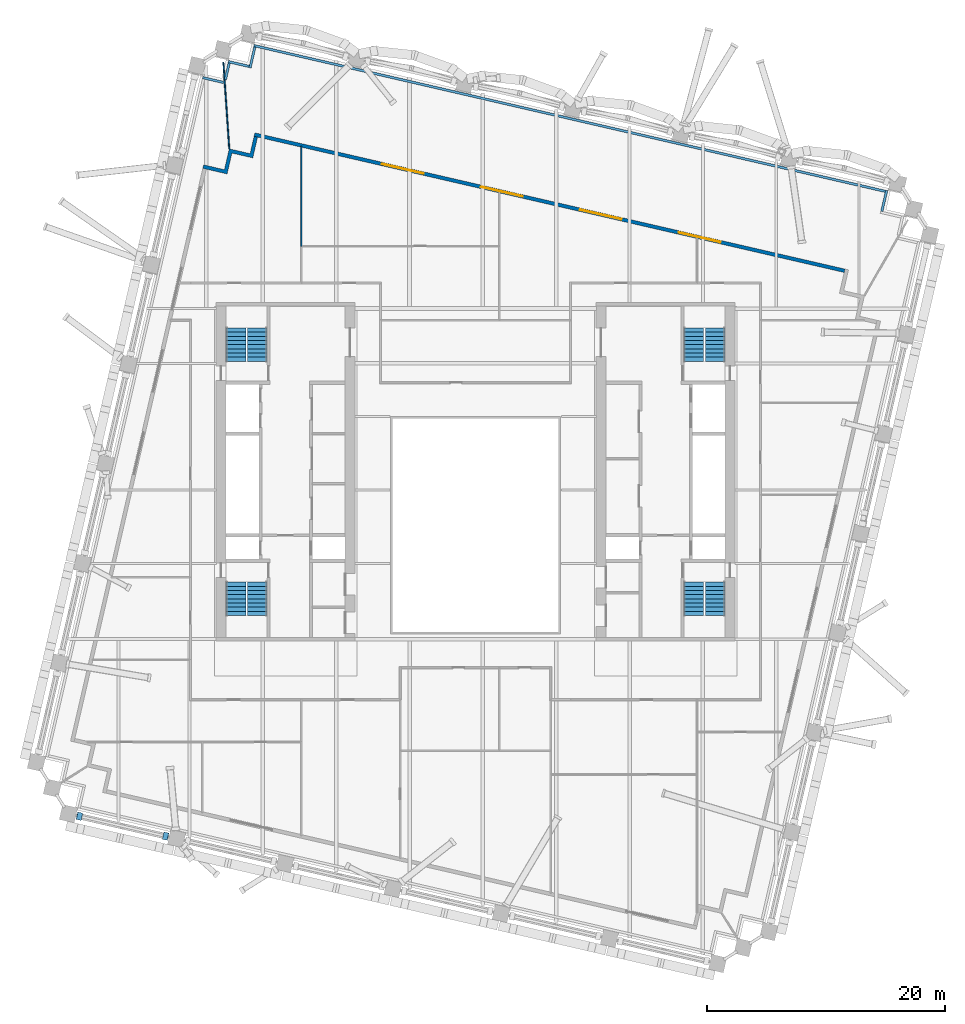
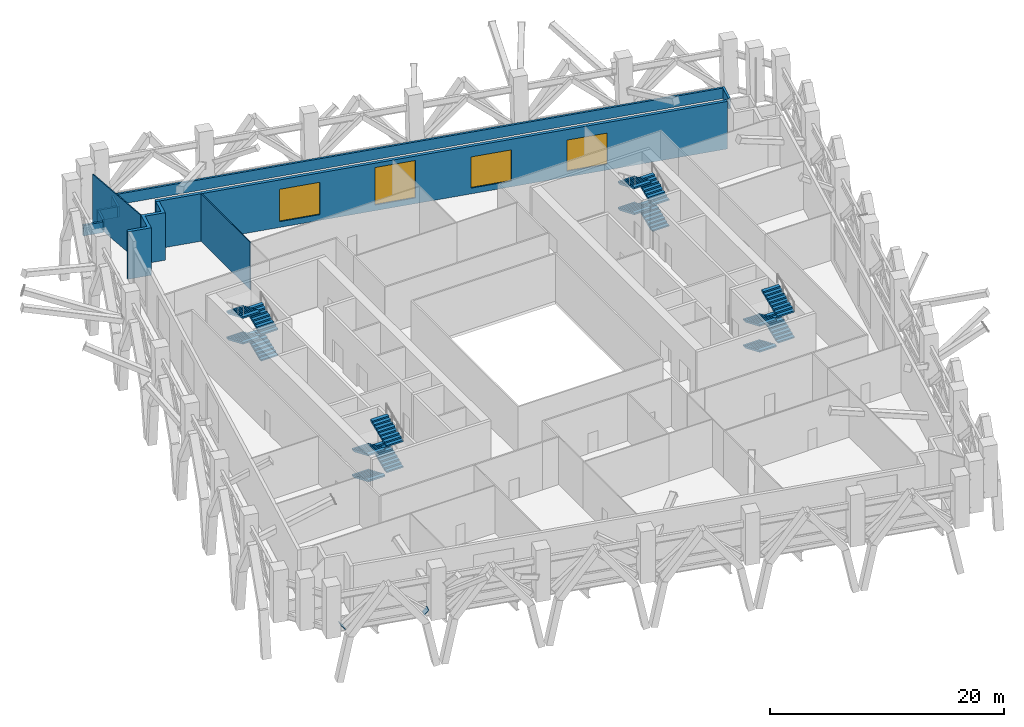
# One storey, part 11 of 20: 16 stair flights, 10 walls, 4 windows, 2 discrete accessories, 4 openings, 4 elements without a shape of their own.
"""IFC4 building model written with IfcOpenShell, lengths in metres."""

from ifc_helpers import new_model, si_unit, direction, frame, frame_2d, origin, origin_2d, place, context, subcontext, project, spatial, polyline, rectangle, outline, extrude, material, layer, layer_set, material_profile, profile_set, type_object, element, fill, aggregate, save


model = new_model("IFC4")

# Units and contexts
model_context = context("Model", 3, precision=1e-05, world=origin(), true_north=direction((0.0, 1.0)))
body_context = subcontext(model_context, "Body", "Model", "MODEL_VIEW")
ifc_project = project(units=[si_unit("LENGTHUNIT", "METRE"), si_unit("AREAUNIT", "SQUARE_METRE"), si_unit("VOLUMEUNIT", "CUBIC_METRE"), si_unit("PLANEANGLEUNIT", "RADIAN"), si_unit("MASSUNIT", "GRAM", prefix="KILO")], contexts=[model_context])

# Site, building, storey
site_placement = place(None, origin())
site = spatial("IfcSite", under=ifc_project, at=site_placement, CompositionType="ELEMENT")
building_placement = place(site_placement, origin())
building = spatial("IfcBuilding", under=site, at=building_placement, Name="Ogive Exchange Tower", CompositionType="ELEMENT")
storey_placement = place(building_placement, frame((0.0, 0.0, 160.199951171875)))
storey = spatial("IfcBuildingStorey", under=building, at=storey_placement, Name="L35", CompositionType="ELEMENT", Elevation=160.199951171875)

# Wall, openings, windows
ifc_material_1 = material(Name="Precast concrete C40/50", Category="concrete")
ifc_layer_1 = layer(ifc_material_1, 0.300048828125)
ifc_layer_set_1 = layer_set([ifc_layer_1], Name="Limestone-faced wall 300")
wall_type_1 = type_object("IfcWallType", Name="Limestone-faced wall 300", PredefinedType="STANDARD", material=ifc_layer_set_1)
wall_1_placement = place(storey_placement, frame((31.07763671875, 28.4208984375, 0.0), z_axis=(0.0, 0.0, 1.0), x_axis=(-0.974370456532, 0.224949357493, 0.0)))
wall_1 = element("IfcWall", 1, at=wall_1_placement, inside=storey, type_object=wall_type_1, Name="External wall N3", PredefinedType="STANDARD", context=body_context, shape_type="SweptSolid", body=[
    extrude(rectangle(XDim=51.0, YDim=0.300048828125, at=frame_2d((25.5, 0.0))), origin(), (0.0, 0.0, 1.0), 4.949951171875),
])
opening_1_placement = place(wall_1_placement, frame((10.72509765625, 0.0, 0.60009765625)))
opening_1 = element("IfcOpeningElement", 2, at=opening_1_placement, cuts=wall_1, Name="Opening LV1H", PredefinedType="OPENING", context=body_context, shape_type="SweptSolid", body=[
    extrude(rectangle(XDim=3.60009765625, YDim=3.25, at=frame_2d((1.800048828125, 1.625))), frame((0.0, 0.159912109375, 0.0), z_axis=(0.0, -1.0, 0.0), x_axis=(1.0, 0.0, 0.0)), (0.0, 0.0, 1.0), 0.320068359375),
])
opening_2_placement = place(wall_1_placement, frame((19.27490234375, 0.0, 0.60009765625)))
opening_2 = element("IfcOpeningElement", 3, at=opening_2_placement, cuts=wall_1, Name="Opening LV1H", PredefinedType="OPENING", context=body_context, shape_type="SweptSolid", body=[
    extrude(rectangle(XDim=3.60009765625, YDim=3.25, at=frame_2d((1.800048828125, 1.625))), frame((0.0, 0.159912109375, 0.0), z_axis=(0.0, -1.0, 0.0), x_axis=(1.0, 0.0, 0.0)), (0.0, 0.0, 1.0), 0.320068359375),
])
opening_3_placement = place(wall_1_placement, frame((27.824951171875, 0.0, 0.60009765625)))
opening_3 = element("IfcOpeningElement", 4, at=opening_3_placement, cuts=wall_1, Name="Opening LV1", PredefinedType="OPENING", context=body_context, shape_type="SweptSolid", body=[
    extrude(rectangle(XDim=3.60009765625, YDim=3.89990234375, at=frame_2d((1.800048828125, 1.949951171875))), frame((0.0, 0.159912109375, 0.0), z_axis=(0.0, -1.0, 0.0), x_axis=(1.0, 0.0, 0.0)), (0.0, 0.0, 1.0), 0.320068359375),
])
opening_4_placement = place(wall_1_placement, frame((36.375, 0.0, 0.60009765625)))
opening_4 = element("IfcOpeningElement", 5, at=opening_4_placement, cuts=wall_1, Name="Opening LV1G", PredefinedType="OPENING", context=body_context, shape_type="SweptSolid", body=[
    extrude(rectangle(XDim=3.60009765625, YDim=3.375, at=frame_2d((1.800048828125, 1.6875))), frame((0.0, 0.159912109375, 0.0), z_axis=(0.0, -1.0, 0.0), x_axis=(1.0, 0.0, 0.0)), (0.0, 0.0, 1.0), 0.320068359375),
])
ifc_material_2 = material(Name="Anodised aluminium louvre", Category="aluminium")
window_type_1 = type_object("IfcWindowType", Name="Plant louvre 3600 x 3250", PartitioningType="DOUBLE_PANEL_HORIZONTAL", PredefinedType="WINDOW", material=ifc_material_2)
window_1_placement = place(opening_1_placement, origin())
window_1 = element("IfcWindow", 6, at=window_1_placement, inside=storey, type_object=window_type_1, Name="Louvre N01", OverallHeight=3.25, OverallWidth=3.60009765625, PartitioningType="DOUBLE_PANEL_HORIZONTAL", PredefinedType="WINDOW", context=body_context, shape_type="SweptSolid", body=[
    extrude(rectangle(XDim=3.60009765625, YDim=3.25, at=frame_2d((1.800048828125, 1.625))), frame((0.0, 0.030029296875, 0.0), z_axis=(0.0, -1.0, 0.0), x_axis=(1.0, 0.0, 0.0)), (0.0, 0.0, 1.0), 0.06005859375),
])
fill(opening_1, window_1)
window_2_placement = place(opening_2_placement, origin())
window_2 = element("IfcWindow", 7, at=window_2_placement, inside=storey, type_object=window_type_1, Name="Louvre N02", OverallHeight=3.25, OverallWidth=3.60009765625, PartitioningType="DOUBLE_PANEL_HORIZONTAL", PredefinedType="WINDOW", context=body_context, shape_type="SweptSolid", body=[
    extrude(rectangle(XDim=3.60009765625, YDim=3.25, at=frame_2d((1.800048828125, 1.625))), frame((0.0, 0.030029296875, 0.0), z_axis=(0.0, -1.0, 0.0), x_axis=(1.0, 0.0, 0.0)), (0.0, 0.0, 1.0), 0.06005859375),
])
fill(opening_2, window_2)
window_type_2 = type_object("IfcWindowType", Name="Plant louvre 3600 x 3375", PartitioningType="DOUBLE_PANEL_HORIZONTAL", PredefinedType="WINDOW", material=ifc_material_2)
window_3_placement = place(opening_4_placement, origin())
window_3 = element("IfcWindow", 8, at=window_3_placement, inside=storey, type_object=window_type_2, Name="Louvre N04", OverallHeight=3.375, OverallWidth=3.60009765625, PartitioningType="DOUBLE_PANEL_HORIZONTAL", PredefinedType="WINDOW", context=body_context, shape_type="SweptSolid", body=[
    extrude(rectangle(XDim=3.60009765625, YDim=3.375, at=frame_2d((1.800048828125, 1.6875))), frame((0.0, 0.030029296875, 0.0), z_axis=(0.0, -1.0, 0.0), x_axis=(1.0, 0.0, 0.0)), (0.0, 0.0, 1.0), 0.06005859375),
])
fill(opening_4, window_3)
window_type_3 = type_object("IfcWindowType", Name="Plant louvre 3600 x 3900", PartitioningType="DOUBLE_PANEL_HORIZONTAL", PredefinedType="WINDOW", material=ifc_material_2)
window_4_placement = place(opening_3_placement, origin())
window_4 = element("IfcWindow", 9, at=window_4_placement, inside=storey, type_object=window_type_3, Name="Louvre N03", OverallHeight=3.89990234375, OverallWidth=3.60009765625, PartitioningType="DOUBLE_PANEL_HORIZONTAL", PredefinedType="WINDOW", context=body_context, shape_type="SweptSolid", body=[
    extrude(rectangle(XDim=3.60009765625, YDim=3.89990234375, at=frame_2d((1.800048828125, 1.949951171875))), frame((0.0, 0.030029296875, 0.0), z_axis=(0.0, -1.0, 0.0), x_axis=(1.0, 0.0, 0.0)), (0.0, 0.0, 1.0), 0.06005859375),
])
fill(opening_3, window_4)

# Walls
wall_2_placement = place(storey_placement, origin())
element("IfcWall", 10, at=wall_2_placement, inside=storey, type_object=wall_type_1, Name="External corner wall C3", PredefinedType="STANDARD", context=body_context, shape_type="SweptSolid", body=[
    extrude(outline(polyline([(-22.966552734375, 37.04931640625), (-22.89892578125, 37.341552734375), (-21.145263671875, 36.936767578125), (-20.740234375, 38.690673828125), (-18.986328125, 38.28564453125), (-18.64892578125, 39.747314453125), (-18.356689453125, 39.6796875), (-18.76171875, 37.92578125), (-20.515380859375, 38.330810546875), (-20.92041015625, 36.576904296875), (-22.966552734375, 37.04931640625)])), origin(), (0.0, 0.0, 1.0), 4.949951171875),
])
ifc_material_3 = material(Name="Laminated safety glass in steel frame", Category="steel")
ifc_layer_2 = layer(ifc_material_3, 0.10009765625)
ifc_layer_set_2 = layer_set([ifc_layer_2], Name="Loggia end screen 100")
wall_type_2 = type_object("IfcWallType", Name="Loggia end screen 100", PredefinedType="STANDARD", material=ifc_layer_set_2)
wall_3_placement = place(storey_placement, frame((-20.740234375, 38.690673828125, -0.050048828125), z_axis=(0.0, 0.0, 1.0), x_axis=(-0.067684629626, 0.997706765995, 0.0)))
element("IfcWall", 11, at=wall_3_placement, inside=storey, type_object=wall_type_2, Name="Loggia end screen C3", PredefinedType="STANDARD", context=body_context, shape_type="SweptSolid", body=[
    extrude(rectangle(XDim=7.325927734375, YDim=0.10009765625, at=frame_2d((3.6630859375, 0.0))), origin(), (0.0, 0.0, 1.0), 5.0),
])
ifc_material_4 = material(Name="Partition 100 gypsum")
ifc_layer_3 = layer(ifc_material_4, 0.10009765625)
ifc_layer_set_3 = layer_set([ifc_layer_3], Name="Partition 100 gypsum")
wall_type_3 = type_object("IfcWallType", Name="Partition 100 gypsum", PredefinedType="PARTITIONING", material=ifc_layer_set_3)
wall_4_placement = place(storey_placement, frame((-14.669921875, 30.449951171875, 0.0), z_axis=(0.0, 0.0, 1.0), x_axis=(0.0, 1.0, 0.0)))
element("IfcWall", 12, at=wall_4_placement, inside=storey, type_object=wall_type_3, Name="L35-PWL-017", PredefinedType="PARTITIONING", context=body_context, shape_type="SweptSolid", body=[
    extrude(rectangle(XDim=8.4609375, YDim=0.10009765625, at=frame_2d((4.23046875, 0.0))), origin(), (0.0, 0.0, 1.0), 4.949951171875),
])
ifc_layer_4 = layer(ifc_material_1, 0.199951171875)
ifc_layer_set_4 = layer_set([ifc_layer_4], Name="Plant deck parapet 200")
wall_type_4 = type_object("IfcWallType", Name="Plant deck parapet 200", PredefinedType="STANDARD", material=ifc_layer_set_4)
wall_5_placement = place(storey_placement, frame((34.21533203125, 33.4326171875, -0.050048828125), z_axis=(0.0, 0.0, 1.0), x_axis=(0.22503782496, 0.974350028141, 0.0)))
element("IfcWall", 13, at=wall_5_placement, inside=storey, type_object=wall_type_4, Name="Plant deck parapet 10", PredefinedType="STANDARD", context=body_context, shape_type="SweptSolid", body=[
    extrude(rectangle(XDim=1.7998046875, YDim=0.199951171875, at=frame_2d((0.89990234375, 0.0))), origin(), (0.0, 0.0, 1.0), 1.10009765625),
])
wall_6_placement = place(storey_placement, frame((34.50048828125, 35.111572265625, -0.050048828125), z_axis=(0.0, 0.0, 1.0), x_axis=(-0.974370602864, 0.224948723658, 0.0)))
element("IfcWall", 14, at=wall_6_placement, inside=storey, type_object=wall_type_4, Name="Plant deck parapet 11", PredefinedType="STANDARD", context=body_context, shape_type="SweptSolid", body=[
    extrude(rectangle(XDim=54.56005859375, YDim=0.199951171875, at=frame_2d((27.280029296875, 0.0))), origin(), (0.0, 0.0, 1.0), 1.10009765625),
])
for number, where, z_axis, x_axis, name in (
    (15, (-18.586181640625, 47.264892578125, -0.050048828125), (0.0, 0.0, 1.0), (-0.225008086135, -0.974356896201, 0.0), "Plant deck parapet 12"),
    (16, (-19.066162109375, 45.631103515625, -0.050048828125), (0.0, 0.0, 1.0), (-0.974386623598, 0.224879318197, 0.0), "Plant deck parapet 13"),
):
    element("IfcWall", number, at=place(storey_placement, frame(where, z_axis=z_axis, x_axis=x_axis)), inside=storey, type_object=wall_type_4, Name=name, PredefinedType="STANDARD", context=body_context, shape_type="SweptSolid", body=[
        extrude(rectangle(XDim=1.800048828125, YDim=0.199951171875, at=frame_2d((0.89990234375, 0.0))), origin(), (0.0, 0.0, 1.0), 1.10009765625),
    ])
wall_7_placement = place(storey_placement, frame((-20.7451171875, 45.916015625, -0.050048828125), z_axis=(0.0, 0.0, 1.0), x_axis=(-0.224908907707, -0.974379794143, 0.0)))
element("IfcWall", 17, at=wall_7_placement, inside=storey, type_object=wall_type_4, Name="Plant deck parapet 14", PredefinedType="STANDARD", context=body_context, shape_type="SweptSolid", body=[
    extrude(rectangle(XDim=1.44384765625, YDim=0.199951171875, at=frame_2d((0.721923828125, 0.0))), origin(), (0.0, 0.0, 1.0), 1.10009765625),
])
wall_8_placement = place(storey_placement, frame((-21.224853515625, 44.281982421875, -0.050048828125), z_axis=(0.0, 0.0, 1.0), x_axis=(-0.974356896201, 0.225008086135, 0.0)))
element("IfcWall", 18, at=wall_8_placement, inside=storey, type_object=wall_type_4, Name="Plant deck parapet 15", PredefinedType="STANDARD", context=body_context, shape_type="SweptSolid", body=[
    extrude(rectangle(XDim=1.800048828125, YDim=0.199951171875, at=frame_2d((0.89990234375, 0.0))), origin(), (0.0, 0.0, 1.0), 1.10009765625),
])

# Stair, stair flights
ifc_material_5 = material(Name="Concrete C40/50", Category="concrete")
stair_type = type_object("IfcStairType", Name="Exit stair 1650 wide", PredefinedType="HALF_TURN_STAIR", material=ifc_material_5)
stair_1_placement = place(storey_placement, origin())
stair_1 = element("IfcStair", 19, at=stair_1_placement, inside=storey, type_object=stair_type, Name="L35 exit stair ST1", PredefinedType="HALF_TURN_STAIR")
stair_flight_type = type_object("IfcStairFlightType", Name="Stair flight 1650 wide", PredefinedType="STRAIGHT", material=ifc_material_5)
stair_flight_1_placement = place(storey_placement, frame((-20.175048828125, 2.199951171875, 0.0), z_axis=(0.0, 0.0, 1.0), x_axis=(0.0, -1.0, 0.0)))
stair_flight_1 = element("IfcStairFlight", 20, at=stair_flight_1_placement, type_object=stair_flight_type, Name="ST1 flight 1", NumberOfRisers=9, NumberOfTreads=8, PredefinedType="STRAIGHT", RiserHeight=0.15, TreadLength=0.351, context=body_context, shape_type="SweptSolid", body=[
    extrude(outline(polyline([(0.0, 0.0), (0.0, 0.14990234375), (0.35107421875, 0.14990234375), (0.35107421875, 0.300048828125), (0.701904296875, 0.300048828125), (0.701904296875, 0.449951171875), (1.052978515625, 0.449951171875), (1.052978515625, 0.60009765625), (1.404052734375, 0.60009765625), (1.404052734375, 0.75), (1.7548828125, 0.75), (1.7548828125, 0.89990234375), (2.10595703125, 0.89990234375), (2.10595703125, 1.050048828125), (2.45703125, 1.050048828125), (2.45703125, 1.199951171875), (2.80810546875, 1.199951171875), (2.80810546875, 1.35009765625), (2.80810546875, 1.036865234375), (0.38134765625, 0.0), (0.0, 0.0)])), frame((0.0, 0.824951171875, 0.0), z_axis=(0.0, -1.0, 0.0), x_axis=(1.0, 0.0, 0.0)), (0.0, 0.0, 1.0), 1.64990234375),
])
stair_flight_2_placement = place(storey_placement, frame((-18.375, -0.60791015625, 1.35009765625), z_axis=(0.0, 0.0, 1.0), x_axis=(0.0, 1.0, 0.0)))
stair_flight_2 = element("IfcStairFlight", 21, at=stair_flight_2_placement, type_object=stair_flight_type, Name="ST1 flight 2", NumberOfRisers=9, NumberOfTreads=8, PredefinedType="STRAIGHT", RiserHeight=0.15, TreadLength=0.351, context=body_context, shape_type="SweptSolid", body=[
    extrude(outline(polyline([(0.0, 0.0), (0.0, 0.14990234375), (0.35107421875, 0.14990234375), (0.35107421875, 0.300048828125), (0.701904296875, 0.300048828125), (0.701904296875, 0.449951171875), (1.052978515625, 0.449951171875), (1.052978515625, 0.60009765625), (1.404052734375, 0.60009765625), (1.404052734375, 0.75), (1.7548828125, 0.75), (1.7548828125, 0.89990234375), (2.10595703125, 0.89990234375), (2.10595703125, 1.050048828125), (2.45703125, 1.050048828125), (2.45703125, 1.199951171875), (2.80810546875, 1.199951171875), (2.80810546875, 1.35009765625), (2.80810546875, 1.036865234375), (0.38134765625, 0.0), (0.0, 0.0)])), frame((0.0, 0.824951171875, 0.0), z_axis=(0.0, -1.0, 0.0), x_axis=(1.0, 0.0, 0.0)), (0.0, 0.0, 1.0), 1.64990234375),
])
stair_flight_3_placement = place(storey_placement, frame((-20.175048828125, 2.199951171875, 2.699951171875), z_axis=(0.0, 0.0, 1.0), x_axis=(0.0, -1.0, 0.0)))
stair_flight_3 = element("IfcStairFlight", 22, at=stair_flight_3_placement, type_object=stair_flight_type, Name="ST1 flight 3", NumberOfRisers=9, NumberOfTreads=8, PredefinedType="STRAIGHT", RiserHeight=0.15, TreadLength=0.351, context=body_context, shape_type="SweptSolid", body=[
    extrude(outline(polyline([(0.0, 0.0), (0.0, 0.14990234375), (0.35107421875, 0.14990234375), (0.35107421875, 0.300048828125), (0.701904296875, 0.300048828125), (0.701904296875, 0.449951171875), (1.052978515625, 0.449951171875), (1.052978515625, 0.60009765625), (1.404052734375, 0.60009765625), (1.404052734375, 0.75), (1.7548828125, 0.75), (1.7548828125, 0.89990234375), (2.10595703125, 0.89990234375), (2.10595703125, 1.050048828125), (2.45703125, 1.050048828125), (2.45703125, 1.199951171875), (2.80810546875, 1.199951171875), (2.80810546875, 1.35009765625), (2.80810546875, 1.036865234375), (0.38134765625, 0.0), (0.0, 0.0)])), frame((0.0, 0.824951171875, 0.0), z_axis=(0.0, -1.0, 0.0), x_axis=(1.0, 0.0, 0.0)), (0.0, 0.0, 1.0), 1.64990234375),
])
stair_flight_4_placement = place(storey_placement, frame((-18.375, -0.60791015625, 4.050048828125), z_axis=(0.0, 0.0, 1.0), x_axis=(0.0, 1.0, 0.0)))
stair_flight_4 = element("IfcStairFlight", 23, at=stair_flight_4_placement, type_object=stair_flight_type, Name="ST1 flight 4", NumberOfRisers=9, NumberOfTreads=8, PredefinedType="STRAIGHT", RiserHeight=0.15, TreadLength=0.351, context=body_context, shape_type="SweptSolid", body=[
    extrude(outline(polyline([(0.0, 0.0), (0.0, 0.14990234375), (0.35107421875, 0.14990234375), (0.35107421875, 0.300048828125), (0.701904296875, 0.300048828125), (0.701904296875, 0.449951171875), (1.052978515625, 0.449951171875), (1.052978515625, 0.60009765625), (1.404052734375, 0.60009765625), (1.404052734375, 0.75), (1.7548828125, 0.75), (1.7548828125, 0.89990234375), (2.10595703125, 0.89990234375), (2.10595703125, 1.050048828125), (2.45703125, 1.050048828125), (2.45703125, 1.199951171875), (2.80810546875, 1.199951171875), (2.80810546875, 1.35009765625), (2.80810546875, 1.036865234375), (0.38134765625, 0.0), (0.0, 0.0)])), frame((0.0, 0.824951171875, 0.0), z_axis=(0.0, -1.0, 0.0), x_axis=(1.0, 0.0, 0.0)), (0.0, 0.0, 1.0), 1.64990234375),
])
aggregate(stair_1, [stair_flight_1, stair_flight_2, stair_flight_3, stair_flight_4])

stair_2_placement = place(storey_placement, origin())
stair_2 = element("IfcStair", 24, at=stair_2_placement, inside=storey, type_object=stair_type, Name="L35 exit stair ST2", PredefinedType="HALF_TURN_STAIR")
stair_flight_5_placement = place(storey_placement, frame((-18.375, 20.800048828125, 0.0), z_axis=(0.0, 0.0, 1.0), x_axis=(0.0, 1.0, 0.0)))
stair_flight_5 = element("IfcStairFlight", 25, at=stair_flight_5_placement, type_object=stair_flight_type, Name="ST2 flight 1", NumberOfRisers=9, NumberOfTreads=8, PredefinedType="STRAIGHT", RiserHeight=0.15, TreadLength=0.351, context=body_context, shape_type="SweptSolid", body=[
    extrude(outline(polyline([(0.0, 0.0), (0.0, 0.14990234375), (0.35107421875, 0.14990234375), (0.35107421875, 0.300048828125), (0.701904296875, 0.300048828125), (0.701904296875, 0.449951171875), (1.052978515625, 0.449951171875), (1.052978515625, 0.60009765625), (1.404052734375, 0.60009765625), (1.404052734375, 0.75), (1.7548828125, 0.75), (1.7548828125, 0.89990234375), (2.10595703125, 0.89990234375), (2.10595703125, 1.050048828125), (2.45703125, 1.050048828125), (2.45703125, 1.199951171875), (2.80810546875, 1.199951171875), (2.80810546875, 1.35009765625), (2.80810546875, 1.036865234375), (0.38134765625, 0.0), (0.0, 0.0)])), frame((0.0, 0.824951171875, 0.0), z_axis=(0.0, -1.0, 0.0), x_axis=(1.0, 0.0, 0.0)), (0.0, 0.0, 1.0), 1.64990234375),
])
stair_flight_6_placement = place(storey_placement, frame((-20.175048828125, 23.60791015625, 1.35009765625), z_axis=(0.0, 0.0, 1.0), x_axis=(0.0, -1.0, 0.0)))
stair_flight_6 = element("IfcStairFlight", 26, at=stair_flight_6_placement, type_object=stair_flight_type, Name="ST2 flight 2", NumberOfRisers=9, NumberOfTreads=8, PredefinedType="STRAIGHT", RiserHeight=0.15, TreadLength=0.351, context=body_context, shape_type="SweptSolid", body=[
    extrude(outline(polyline([(0.0, 0.0), (0.0, 0.14990234375), (0.35107421875, 0.14990234375), (0.35107421875, 0.300048828125), (0.701904296875, 0.300048828125), (0.701904296875, 0.449951171875), (1.052978515625, 0.449951171875), (1.052978515625, 0.60009765625), (1.404052734375, 0.60009765625), (1.404052734375, 0.75), (1.7548828125, 0.75), (1.7548828125, 0.89990234375), (2.10595703125, 0.89990234375), (2.10595703125, 1.050048828125), (2.45703125, 1.050048828125), (2.45703125, 1.199951171875), (2.80810546875, 1.199951171875), (2.80810546875, 1.35009765625), (2.80810546875, 1.036865234375), (0.38134765625, 0.0), (0.0, 0.0)])), frame((0.0, 0.824951171875, 0.0), z_axis=(0.0, -1.0, 0.0), x_axis=(1.0, 0.0, 0.0)), (0.0, 0.0, 1.0), 1.64990234375),
])
stair_flight_7_placement = place(storey_placement, frame((-18.375, 20.800048828125, 2.699951171875), z_axis=(0.0, 0.0, 1.0), x_axis=(0.0, 1.0, 0.0)))
stair_flight_7 = element("IfcStairFlight", 27, at=stair_flight_7_placement, type_object=stair_flight_type, Name="ST2 flight 3", NumberOfRisers=9, NumberOfTreads=8, PredefinedType="STRAIGHT", RiserHeight=0.15, TreadLength=0.351, context=body_context, shape_type="SweptSolid", body=[
    extrude(outline(polyline([(0.0, 0.0), (0.0, 0.14990234375), (0.35107421875, 0.14990234375), (0.35107421875, 0.300048828125), (0.701904296875, 0.300048828125), (0.701904296875, 0.449951171875), (1.052978515625, 0.449951171875), (1.052978515625, 0.60009765625), (1.404052734375, 0.60009765625), (1.404052734375, 0.75), (1.7548828125, 0.75), (1.7548828125, 0.89990234375), (2.10595703125, 0.89990234375), (2.10595703125, 1.050048828125), (2.45703125, 1.050048828125), (2.45703125, 1.199951171875), (2.80810546875, 1.199951171875), (2.80810546875, 1.35009765625), (2.80810546875, 1.036865234375), (0.38134765625, 0.0), (0.0, 0.0)])), frame((0.0, 0.824951171875, 0.0), z_axis=(0.0, -1.0, 0.0), x_axis=(1.0, 0.0, 0.0)), (0.0, 0.0, 1.0), 1.64990234375),
])
stair_flight_8_placement = place(storey_placement, frame((-20.175048828125, 23.60791015625, 4.050048828125), z_axis=(0.0, 0.0, 1.0), x_axis=(0.0, -1.0, 0.0)))
stair_flight_8 = element("IfcStairFlight", 28, at=stair_flight_8_placement, type_object=stair_flight_type, Name="ST2 flight 4", NumberOfRisers=9, NumberOfTreads=8, PredefinedType="STRAIGHT", RiserHeight=0.15, TreadLength=0.351, context=body_context, shape_type="SweptSolid", body=[
    extrude(outline(polyline([(0.0, 0.0), (0.0, 0.14990234375), (0.35107421875, 0.14990234375), (0.35107421875, 0.300048828125), (0.701904296875, 0.300048828125), (0.701904296875, 0.449951171875), (1.052978515625, 0.449951171875), (1.052978515625, 0.60009765625), (1.404052734375, 0.60009765625), (1.404052734375, 0.75), (1.7548828125, 0.75), (1.7548828125, 0.89990234375), (2.10595703125, 0.89990234375), (2.10595703125, 1.050048828125), (2.45703125, 1.050048828125), (2.45703125, 1.199951171875), (2.80810546875, 1.199951171875), (2.80810546875, 1.35009765625), (2.80810546875, 1.036865234375), (0.38134765625, 0.0), (0.0, 0.0)])), frame((0.0, 0.824951171875, 0.0), z_axis=(0.0, -1.0, 0.0), x_axis=(1.0, 0.0, 0.0)), (0.0, 0.0, 1.0), 1.64990234375),
])
aggregate(stair_2, [stair_flight_5, stair_flight_6, stair_flight_7, stair_flight_8])

stair_3_placement = place(storey_placement, origin())
stair_3 = element("IfcStair", 29, at=stair_3_placement, inside=storey, type_object=stair_type, Name="L35 exit stair ST3", PredefinedType="HALF_TURN_STAIR")
stair_flight_9_placement = place(storey_placement, frame((18.375, 2.199951171875, 0.0), z_axis=(0.0, 0.0, 1.0), x_axis=(0.0, -1.0, 0.0)))
stair_flight_9 = element("IfcStairFlight", 30, at=stair_flight_9_placement, type_object=stair_flight_type, Name="ST3 flight 1", NumberOfRisers=9, NumberOfTreads=8, PredefinedType="STRAIGHT", RiserHeight=0.15, TreadLength=0.351, context=body_context, shape_type="SweptSolid", body=[
    extrude(outline(polyline([(0.0, 0.0), (0.0, 0.14990234375), (0.35107421875, 0.14990234375), (0.35107421875, 0.300048828125), (0.701904296875, 0.300048828125), (0.701904296875, 0.449951171875), (1.052978515625, 0.449951171875), (1.052978515625, 0.60009765625), (1.404052734375, 0.60009765625), (1.404052734375, 0.75), (1.7548828125, 0.75), (1.7548828125, 0.89990234375), (2.10595703125, 0.89990234375), (2.10595703125, 1.050048828125), (2.45703125, 1.050048828125), (2.45703125, 1.199951171875), (2.80810546875, 1.199951171875), (2.80810546875, 1.35009765625), (2.80810546875, 1.036865234375), (0.38134765625, 0.0), (0.0, 0.0)])), frame((0.0, 0.824951171875, 0.0), z_axis=(0.0, -1.0, 0.0), x_axis=(1.0, 0.0, 0.0)), (0.0, 0.0, 1.0), 1.64990234375),
])
stair_flight_10_placement = place(storey_placement, frame((20.175048828125, -0.60791015625, 1.35009765625), z_axis=(0.0, 0.0, 1.0), x_axis=(0.0, 1.0, 0.0)))
stair_flight_10 = element("IfcStairFlight", 31, at=stair_flight_10_placement, type_object=stair_flight_type, Name="ST3 flight 2", NumberOfRisers=9, NumberOfTreads=8, PredefinedType="STRAIGHT", RiserHeight=0.15, TreadLength=0.351, context=body_context, shape_type="SweptSolid", body=[
    extrude(outline(polyline([(0.0, 0.0), (0.0, 0.14990234375), (0.35107421875, 0.14990234375), (0.35107421875, 0.300048828125), (0.701904296875, 0.300048828125), (0.701904296875, 0.449951171875), (1.052978515625, 0.449951171875), (1.052978515625, 0.60009765625), (1.404052734375, 0.60009765625), (1.404052734375, 0.75), (1.7548828125, 0.75), (1.7548828125, 0.89990234375), (2.10595703125, 0.89990234375), (2.10595703125, 1.050048828125), (2.45703125, 1.050048828125), (2.45703125, 1.199951171875), (2.80810546875, 1.199951171875), (2.80810546875, 1.35009765625), (2.80810546875, 1.036865234375), (0.38134765625, 0.0), (0.0, 0.0)])), frame((0.0, 0.824951171875, 0.0), z_axis=(0.0, -1.0, 0.0), x_axis=(1.0, 0.0, 0.0)), (0.0, 0.0, 1.0), 1.64990234375),
])
stair_flight_11_placement = place(storey_placement, frame((18.375, 2.199951171875, 2.699951171875), z_axis=(0.0, 0.0, 1.0), x_axis=(0.0, -1.0, 0.0)))
stair_flight_11 = element("IfcStairFlight", 32, at=stair_flight_11_placement, type_object=stair_flight_type, Name="ST3 flight 3", NumberOfRisers=9, NumberOfTreads=8, PredefinedType="STRAIGHT", RiserHeight=0.15, TreadLength=0.351, context=body_context, shape_type="SweptSolid", body=[
    extrude(outline(polyline([(0.0, 0.0), (0.0, 0.14990234375), (0.35107421875, 0.14990234375), (0.35107421875, 0.300048828125), (0.701904296875, 0.300048828125), (0.701904296875, 0.449951171875), (1.052978515625, 0.449951171875), (1.052978515625, 0.60009765625), (1.404052734375, 0.60009765625), (1.404052734375, 0.75), (1.7548828125, 0.75), (1.7548828125, 0.89990234375), (2.10595703125, 0.89990234375), (2.10595703125, 1.050048828125), (2.45703125, 1.050048828125), (2.45703125, 1.199951171875), (2.80810546875, 1.199951171875), (2.80810546875, 1.35009765625), (2.80810546875, 1.036865234375), (0.38134765625, 0.0), (0.0, 0.0)])), frame((0.0, 0.824951171875, 0.0), z_axis=(0.0, -1.0, 0.0), x_axis=(1.0, 0.0, 0.0)), (0.0, 0.0, 1.0), 1.64990234375),
])
stair_flight_12_placement = place(storey_placement, frame((20.175048828125, -0.60791015625, 4.050048828125), z_axis=(0.0, 0.0, 1.0), x_axis=(0.0, 1.0, 0.0)))
stair_flight_12 = element("IfcStairFlight", 33, at=stair_flight_12_placement, type_object=stair_flight_type, Name="ST3 flight 4", NumberOfRisers=9, NumberOfTreads=8, PredefinedType="STRAIGHT", RiserHeight=0.15, TreadLength=0.351, context=body_context, shape_type="SweptSolid", body=[
    extrude(outline(polyline([(0.0, 0.0), (0.0, 0.14990234375), (0.35107421875, 0.14990234375), (0.35107421875, 0.300048828125), (0.701904296875, 0.300048828125), (0.701904296875, 0.449951171875), (1.052978515625, 0.449951171875), (1.052978515625, 0.60009765625), (1.404052734375, 0.60009765625), (1.404052734375, 0.75), (1.7548828125, 0.75), (1.7548828125, 0.89990234375), (2.10595703125, 0.89990234375), (2.10595703125, 1.050048828125), (2.45703125, 1.050048828125), (2.45703125, 1.199951171875), (2.80810546875, 1.199951171875), (2.80810546875, 1.35009765625), (2.80810546875, 1.036865234375), (0.38134765625, 0.0), (0.0, 0.0)])), frame((0.0, 0.824951171875, 0.0), z_axis=(0.0, -1.0, 0.0), x_axis=(1.0, 0.0, 0.0)), (0.0, 0.0, 1.0), 1.64990234375),
])
aggregate(stair_3, [stair_flight_9, stair_flight_10, stair_flight_11, stair_flight_12])

stair_4_placement = place(storey_placement, origin())
stair_4 = element("IfcStair", 34, at=stair_4_placement, inside=storey, type_object=stair_type, Name="L35 exit stair ST4", PredefinedType="HALF_TURN_STAIR")
stair_flight_13_placement = place(storey_placement, frame((20.175048828125, 20.800048828125, 0.0), z_axis=(0.0, 0.0, 1.0), x_axis=(0.0, 1.0, 0.0)))
stair_flight_13 = element("IfcStairFlight", 35, at=stair_flight_13_placement, type_object=stair_flight_type, Name="ST4 flight 1", NumberOfRisers=9, NumberOfTreads=8, PredefinedType="STRAIGHT", RiserHeight=0.15, TreadLength=0.351, context=body_context, shape_type="SweptSolid", body=[
    extrude(outline(polyline([(0.0, 0.0), (0.0, 0.14990234375), (0.35107421875, 0.14990234375), (0.35107421875, 0.300048828125), (0.701904296875, 0.300048828125), (0.701904296875, 0.449951171875), (1.052978515625, 0.449951171875), (1.052978515625, 0.60009765625), (1.404052734375, 0.60009765625), (1.404052734375, 0.75), (1.7548828125, 0.75), (1.7548828125, 0.89990234375), (2.10595703125, 0.89990234375), (2.10595703125, 1.050048828125), (2.45703125, 1.050048828125), (2.45703125, 1.199951171875), (2.80810546875, 1.199951171875), (2.80810546875, 1.35009765625), (2.80810546875, 1.036865234375), (0.38134765625, 0.0), (0.0, 0.0)])), frame((0.0, 0.824951171875, 0.0), z_axis=(0.0, -1.0, 0.0), x_axis=(1.0, 0.0, 0.0)), (0.0, 0.0, 1.0), 1.64990234375),
])
stair_flight_14_placement = place(storey_placement, frame((18.375, 23.60791015625, 1.35009765625), z_axis=(0.0, 0.0, 1.0), x_axis=(0.0, -1.0, 0.0)))
stair_flight_14 = element("IfcStairFlight", 36, at=stair_flight_14_placement, type_object=stair_flight_type, Name="ST4 flight 2", NumberOfRisers=9, NumberOfTreads=8, PredefinedType="STRAIGHT", RiserHeight=0.15, TreadLength=0.351, context=body_context, shape_type="SweptSolid", body=[
    extrude(outline(polyline([(0.0, 0.0), (0.0, 0.14990234375), (0.35107421875, 0.14990234375), (0.35107421875, 0.300048828125), (0.701904296875, 0.300048828125), (0.701904296875, 0.449951171875), (1.052978515625, 0.449951171875), (1.052978515625, 0.60009765625), (1.404052734375, 0.60009765625), (1.404052734375, 0.75), (1.7548828125, 0.75), (1.7548828125, 0.89990234375), (2.10595703125, 0.89990234375), (2.10595703125, 1.050048828125), (2.45703125, 1.050048828125), (2.45703125, 1.199951171875), (2.80810546875, 1.199951171875), (2.80810546875, 1.35009765625), (2.80810546875, 1.036865234375), (0.38134765625, 0.0), (0.0, 0.0)])), frame((0.0, 0.824951171875, 0.0), z_axis=(0.0, -1.0, 0.0), x_axis=(1.0, 0.0, 0.0)), (0.0, 0.0, 1.0), 1.64990234375),
])
stair_flight_15_placement = place(storey_placement, frame((20.175048828125, 20.800048828125, 2.699951171875), z_axis=(0.0, 0.0, 1.0), x_axis=(0.0, 1.0, 0.0)))
stair_flight_15 = element("IfcStairFlight", 37, at=stair_flight_15_placement, type_object=stair_flight_type, Name="ST4 flight 3", NumberOfRisers=9, NumberOfTreads=8, PredefinedType="STRAIGHT", RiserHeight=0.15, TreadLength=0.351, context=body_context, shape_type="SweptSolid", body=[
    extrude(outline(polyline([(0.0, 0.0), (0.0, 0.14990234375), (0.35107421875, 0.14990234375), (0.35107421875, 0.300048828125), (0.701904296875, 0.300048828125), (0.701904296875, 0.449951171875), (1.052978515625, 0.449951171875), (1.052978515625, 0.60009765625), (1.404052734375, 0.60009765625), (1.404052734375, 0.75), (1.7548828125, 0.75), (1.7548828125, 0.89990234375), (2.10595703125, 0.89990234375), (2.10595703125, 1.050048828125), (2.45703125, 1.050048828125), (2.45703125, 1.199951171875), (2.80810546875, 1.199951171875), (2.80810546875, 1.35009765625), (2.80810546875, 1.036865234375), (0.38134765625, 0.0), (0.0, 0.0)])), frame((0.0, 0.824951171875, 0.0), z_axis=(0.0, -1.0, 0.0), x_axis=(1.0, 0.0, 0.0)), (0.0, 0.0, 1.0), 1.64990234375),
])
stair_flight_16_placement = place(storey_placement, frame((18.375, 23.60791015625, 4.050048828125), z_axis=(0.0, 0.0, 1.0), x_axis=(0.0, -1.0, 0.0)))
stair_flight_16 = element("IfcStairFlight", 38, at=stair_flight_16_placement, type_object=stair_flight_type, Name="ST4 flight 4", NumberOfRisers=9, NumberOfTreads=8, PredefinedType="STRAIGHT", RiserHeight=0.15, TreadLength=0.351, context=body_context, shape_type="SweptSolid", body=[
    extrude(outline(polyline([(0.0, 0.0), (0.0, 0.14990234375), (0.35107421875, 0.14990234375), (0.35107421875, 0.300048828125), (0.701904296875, 0.300048828125), (0.701904296875, 0.449951171875), (1.052978515625, 0.449951171875), (1.052978515625, 0.60009765625), (1.404052734375, 0.60009765625), (1.404052734375, 0.75), (1.7548828125, 0.75), (1.7548828125, 0.89990234375), (2.10595703125, 0.89990234375), (2.10595703125, 1.050048828125), (2.45703125, 1.050048828125), (2.45703125, 1.199951171875), (2.80810546875, 1.199951171875), (2.80810546875, 1.35009765625), (2.80810546875, 1.036865234375), (0.38134765625, 0.0), (0.0, 0.0)])), frame((0.0, 0.824951171875, 0.0), z_axis=(0.0, -1.0, 0.0), x_axis=(1.0, 0.0, 0.0)), (0.0, 0.0, 1.0), 1.64990234375),
])
aggregate(stair_4, [stair_flight_13, stair_flight_14, stair_flight_15, stair_flight_16])

# Discrete accessories
ifc_material_6 = material(Name="Steel ASTM A572 Gr50", Category="steel")
ifc_material_profile = material_profile(ifc_material_6, rectangle(XDim=0.6279296875, YDim=0.6279296875, at=origin_2d()), Name="PL 628 x 628 x 25")
ifc_profile_set = profile_set([ifc_material_profile], Name="Steel ASTM A572 Gr50")
discrete_accessory_type = type_object("IfcDiscreteAccessoryType", Name="Gusset plate 628 x 628 x 25", PredefinedType="USERDEFINED", material=ifc_profile_set)
for number, where, z_axis, x_axis, name in (
    (39, (-33.3671875, -17.509521484375, 0.66796875), (0.730604202988, -0.165603619344, 0.662414477376), (0.221059030643, 0.975260429307, 0.0), "Belt truss diagonal 1a end plate A"),
    (40, (-26.086669921875, -19.190185546875, 0.66796875), (-0.730604202988, 0.165603619344, 0.662414477376), (-0.221059030643, -0.975260429307, 0.0), "Belt truss diagonal 1b end plate A"),
):
    element("IfcDiscreteAccessory", number, at=place(storey_placement, frame(where, z_axis=z_axis, x_axis=x_axis)), inside=storey, type_object=discrete_accessory_type, Name=name, ObjectType="GUSSET PLATE", PredefinedType="USERDEFINED", context=body_context, shape_type="SweptSolid", body=[
        extrude(rectangle(XDim=0.6279296875, YDim=0.6279296875, at=origin_2d()), origin(), (0.0, 0.0, 1.0), 0.025146484375),
    ])

save(model, "model.ifc")
